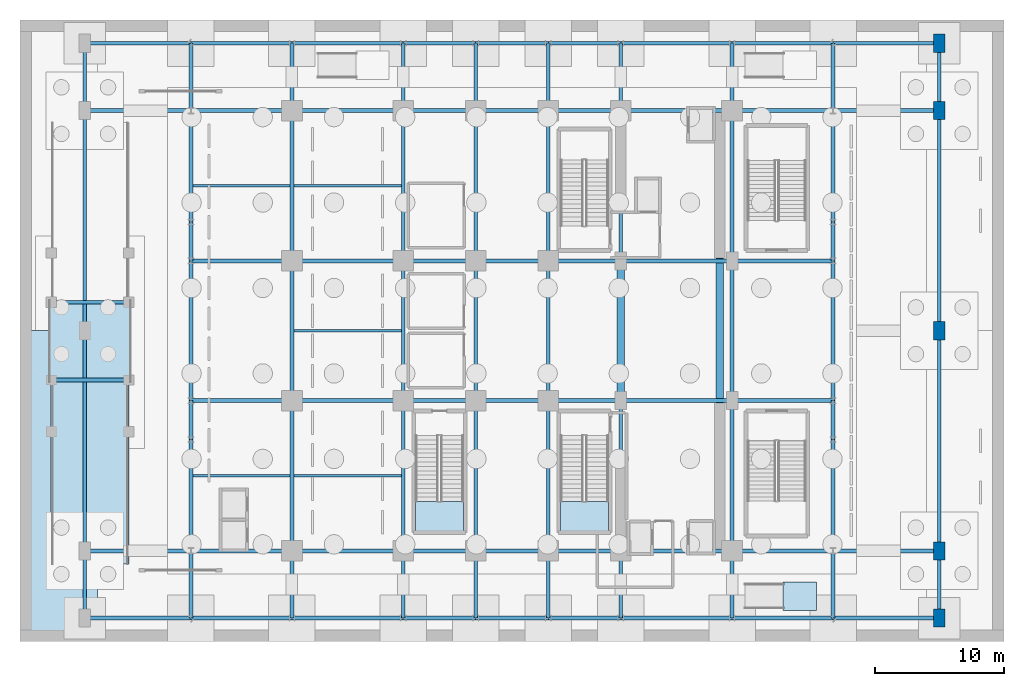
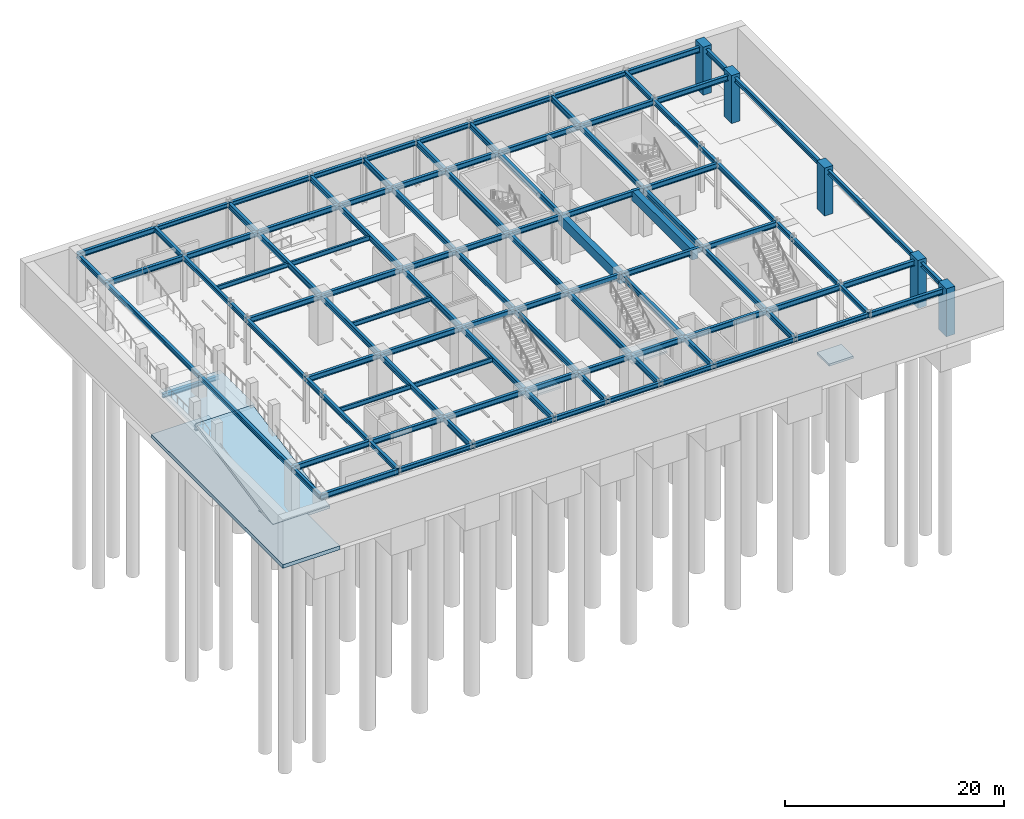
# One storey, part 4 of 14: 110 beams, 6 slabs, 5 columns, 2 elements without a shape of their own.
"""IFC4 building model written with IfcOpenShell, lengths in metres."""

from ifc_helpers import new_model, si_unit, direction, frame, origin, origin_2d, place, context, subcontext, project, spatial, polyline, rectangle, i_section, outline, extrude, source, transform, mapped, material, layer, layer_set, material_profile, profile_set, type_object, element, aggregate, save


model = new_model("IFC4")

# Units and contexts
model_context = context("Model", 3, precision=1e-05, world=origin(), true_north=direction((0.0, 1.0)))
body_context = subcontext(model_context, "Body", "Model", "MODEL_VIEW")
ifc_project = project(units=[si_unit("LENGTHUNIT", "METRE"), si_unit("AREAUNIT", "SQUARE_METRE"), si_unit("VOLUMEUNIT", "CUBIC_METRE"), si_unit("PLANEANGLEUNIT", "RADIAN"), si_unit("MASSUNIT", "GRAM", prefix="KILO")], contexts=[model_context])

# Site, building, storey
site_placement = place(None, origin())
site = spatial("IfcSite", under=ifc_project, at=site_placement, CompositionType="ELEMENT")
building_placement = place(site_placement, origin())
building = spatial("IfcBuilding", under=site, at=building_placement, Name="Nahalor Promenade Grand Hotel", CompositionType="ELEMENT")
storey_placement = place(building_placement, frame((0.0, 0.0, -10.800048828125)))
storey = spatial("IfcBuildingStorey", under=building, at=storey_placement, Name="B02", CompositionType="ELEMENT", Elevation=-10.800048828125)

# Columns
ifc_material_1 = material(Name="Concrete B-60 (C50/60)", Category="concrete")
ifc_material_profile_1 = material_profile(ifc_material_1, rectangle(XDim=0.9, YDim=1.4, at=origin_2d()), Name="RC 900x1400")
ifc_profile_set_1 = profile_set([ifc_material_profile_1], Name="Concrete B-60 (C50/60)")
column_type = type_object("IfcColumnType", Name="Col-Pilaster-1400", PredefinedType="PILASTER", material=ifc_profile_set_1)
shared_shape_1 = source(origin(), body_context, "Body", "SweptSolid", [
    extrude(rectangle(XDim=0.9, YDim=1.4, at=origin_2d()), origin(), (0.0, 0.0, 1.0), 5.35498046875),
])
for number, where, z_axis, x_axis, name in (
    (1, (33.0, -22.199951171875, 0.0), (0.0, 0.0, 1.0), (1.0, 0.0, 0.0), "COL-B02-PC-E0"),
    (2, (33.0, -17.0, 0.0), (0.0, 0.0, 1.0), (1.0, 0.0, 0.0), "COL-B02-PC-E1"),
    (3, (33.0, 0.0, 0.0), (0.0, 0.0, 1.0), (1.0, 0.0, 0.0), "COL-B02-PC-E2"),
    (4, (33.0, 17.0, 0.0), (0.0, 0.0, 1.0), (1.0, 0.0, 0.0), "COL-B02-PC-E3"),
    (5, (33.0, 22.199951171875, 0.0), (0.0, 0.0, 1.0), (1.0, 0.0, 0.0), "COL-B02-PC-E4"),
):
    element("IfcColumn", number, at=place(storey_placement, frame(where, z_axis=z_axis, x_axis=x_axis)), inside=storey, type_object=column_type, Name=name, PredefinedType="PILASTER", context=body_context, shape_type="MappedRepresentation", body=[
        mapped(shared_shape_1, transform((0.0, 0.0, 0.0), scale=1.0)),
    ])

# Beams
ifc_material_profile_2 = material_profile(ifc_material_1, rectangle(XDim=0.6, YDim=1.1, at=origin_2d()), Name="RC 600x1100")
ifc_profile_set_2 = profile_set([ifc_material_profile_2], Name="Concrete B-60 (C50/60)")
beam_type_1 = type_object("IfcBeamType", Name="Beam-Lintel-RC1100", PredefinedType="LINTEL", material=ifc_profile_set_2)
shared_shape_2 = source(origin(), body_context, "Body", "SweptSolid", [
    extrude(rectangle(XDim=0.6, YDim=1.1, at=origin_2d()), origin(), (0.0, 0.0, 1.0), 11.2001953125),
])
for number, where, z_axis, x_axis, name in (
    (6, (8.39990234375, -5.60009765625, 4.5), (0.0, 1.0, 0.0), (-1.0, 0.0, 0.0), "BM-B02-LINT-W"),
    (7, (16.050048828125, -5.60009765625, 4.5), (0.0, 1.0, 0.0), (-1.0, 0.0, 0.0), "BM-B02-LINT-E"),
):
    element("IfcBeam", number, at=place(storey_placement, frame(where, z_axis=z_axis, x_axis=x_axis)), inside=storey, type_object=beam_type_1, Name=name, PredefinedType="LINTEL", context=body_context, shape_type="MappedRepresentation", body=[
        mapped(shared_shape_2, transform((0.0, 0.0, 0.0), scale=1.0)),
    ])
ifc_material_2 = material(Name="Steel S355JR", Category="steel")
ifc_material_profile_3 = material_profile(ifc_material_2, i_section(OverallWidth=0.3, OverallDepth=0.6, WebThickness=0.0155, FlangeThickness=0.03, at=origin_2d()), Name="HEB 600")
ifc_profile_set_3 = profile_set([ifc_material_profile_3], Name="Steel S355JR")
beam_type_2 = type_object("IfcBeamType", Name="Beam-Girder-HEB600", PredefinedType="BEAM", material=ifc_profile_set_3)
shared_shape_3 = source(origin(), body_context, "Body", "SweptSolid", [
    extrude(i_section(OverallWidth=0.3, OverallDepth=0.6, WebThickness=0.0155, FlangeThickness=0.03, at=origin_2d()), origin(), (0.0, 0.0, 1.0), 8.199951171875),
])
for number, where, z_axis, x_axis, name in (
    (8, (-33.0, -17.0, 4.75), (1.0, 0.0, 0.0), (0.0, 1.0, 0.0), "BM-B02-GX-0-0"),
    (9, (24.800048828125, -17.0, 4.75), (1.0, 0.0, 0.0), (0.0, 1.0, 0.0), "BM-B02-GX-0-8"),
    (10, (-33.0, 17.0, 4.75), (1.0, 0.0, 0.0), (0.0, 1.0, 0.0), "BM-B02-GX-3-0"),
    (11, (24.800048828125, 17.0, 4.75), (1.0, 0.0, 0.0), (0.0, 1.0, 0.0), "BM-B02-GX-3-8"),
    (12, (-24.800048828125, -22.199951171875, 4.75), (-1.0, 0.0, 0.0), (0.0, -1.0, 0.0), "BM-B02-TIE-PW--22"),
    (13, (-24.800048828125, 22.199951171875, 4.75), (-1.0, 0.0, 0.0), (0.0, -1.0, 0.0), "BM-B02-TIE-PW-+22"),
    (14, (24.800048828125, -22.199951171875, 4.75), (1.0, 0.0, 0.0), (0.0, 1.0, 0.0), "BM-B02-TIE-PE--22"),
    (15, (24.800048828125, 22.199951171875, 4.75), (1.0, 0.0, 0.0), (0.0, 1.0, 0.0), "BM-B02-TIE-PE-+22"),
):
    element("IfcBeam", number, at=place(storey_placement, frame(where, z_axis=z_axis, x_axis=x_axis)), inside=storey, type_object=beam_type_2, Name=name, PredefinedType="BEAM", context=body_context, shape_type="MappedRepresentation", body=[
        mapped(shared_shape_3, transform((0.0, 0.0, 0.0), scale=1.0)),
    ])
shared_shape_4 = source(origin(), body_context, "Body", "SweptSolid", [
    extrude(i_section(OverallWidth=0.3, OverallDepth=0.6, WebThickness=0.0155, FlangeThickness=0.03, at=origin_2d()), origin(), (0.0, 0.0, 1.0), 7.800048828125),
])
for number, where, z_axis, x_axis, name in (
    (16, (-24.800048828125, -17.0, 4.75), (1.0, 0.0, 0.0), (0.0, 1.0, 0.0), "BM-B02-GX-0-1"),
    (17, (17.0, -17.0, 4.75), (1.0, 0.0, 0.0), (0.0, 1.0, 0.0), "BM-B02-GX-0-7"),
    (18, (-24.800048828125, -5.39990234375, 4.75), (1.0, 0.0, 0.0), (0.0, 1.0, 0.0), "BM-B02-GX-1-0"),
    (19, (17.0, -5.39990234375, 4.75), (1.0, 0.0, 0.0), (0.0, 1.0, 0.0), "BM-B02-GX-1-6"),
    (20, (-24.800048828125, 5.39990234375, 4.75), (1.0, 0.0, 0.0), (0.0, 1.0, 0.0), "BM-B02-GX-2-0"),
    (21, (17.0, 5.39990234375, 4.75), (1.0, 0.0, 0.0), (0.0, 1.0, 0.0), "BM-B02-GX-2-6"),
    (22, (-24.800048828125, 17.0, 4.75), (1.0, 0.0, 0.0), (0.0, 1.0, 0.0), "BM-B02-GX-3-1"),
    (23, (17.0, 17.0, 4.75), (1.0, 0.0, 0.0), (0.0, 1.0, 0.0), "BM-B02-GX-3-7"),
):
    element("IfcBeam", number, at=place(storey_placement, frame(where, z_axis=z_axis, x_axis=x_axis)), inside=storey, type_object=beam_type_2, Name=name, PredefinedType="BEAM", context=body_context, shape_type="MappedRepresentation", body=[
        mapped(shared_shape_4, transform((0.0, 0.0, 0.0), scale=1.0)),
    ])
shared_shape_5 = source(origin(), body_context, "Body", "SweptSolid", [
    extrude(i_section(OverallWidth=0.3, OverallDepth=0.6, WebThickness=0.0155, FlangeThickness=0.03, at=origin_2d()), origin(), (0.0, 0.0, 1.0), 8.60009765625),
])
for number, where, z_axis, x_axis, name in (
    (24, (-17.0, -17.0, 4.75), (1.0, 0.0, 0.0), (0.0, 1.0, 0.0), "BM-B02-GX-0-2"),
    (25, (8.39990234375, -17.0, 4.75), (1.0, 0.0, 0.0), (0.0, 1.0, 0.0), "BM-B02-GX-0-6"),
    (26, (-17.0, -5.39990234375, 4.75), (1.0, 0.0, 0.0), (0.0, 1.0, 0.0), "BM-B02-GX-1-1"),
    (27, (8.39990234375, -5.39990234375, 4.75), (1.0, 0.0, 0.0), (0.0, 1.0, 0.0), "BM-B02-GX-1-5"),
    (28, (-17.0, 5.39990234375, 4.75), (1.0, 0.0, 0.0), (0.0, 1.0, 0.0), "BM-B02-GX-2-1"),
    (29, (8.39990234375, 5.39990234375, 4.75), (1.0, 0.0, 0.0), (0.0, 1.0, 0.0), "BM-B02-GX-2-5"),
    (30, (-17.0, 17.0, 4.75), (1.0, 0.0, 0.0), (0.0, 1.0, 0.0), "BM-B02-GX-3-2"),
    (31, (8.39990234375, 17.0, 4.75), (1.0, 0.0, 0.0), (0.0, 1.0, 0.0), "BM-B02-GX-3-6"),
):
    element("IfcBeam", number, at=place(storey_placement, frame(where, z_axis=z_axis, x_axis=x_axis)), inside=storey, type_object=beam_type_2, Name=name, PredefinedType="BEAM", context=body_context, shape_type="MappedRepresentation", body=[
        mapped(shared_shape_5, transform((0.0, 0.0, 0.0), scale=1.0)),
    ])
shared_shape_6 = source(origin(), body_context, "Body", "SweptSolid", [
    extrude(i_section(OverallWidth=0.3, OverallDepth=0.6, WebThickness=0.0155, FlangeThickness=0.03, at=origin_2d()), origin(), (0.0, 0.0, 1.0), 5.599853515625),
])
for number, where, z_axis, x_axis, name in (
    (32, (-8.39990234375, -17.0, 4.75), (1.0, 0.0, 0.0), (0.0, 1.0, 0.0), "BM-B02-GX-0-3"),
    (33, (2.800048828125, -17.0, 4.75), (1.0, 0.0, 0.0), (0.0, 1.0, 0.0), "BM-B02-GX-0-5"),
    (34, (-8.39990234375, -5.39990234375, 4.75), (1.0, 0.0, 0.0), (0.0, 1.0, 0.0), "BM-B02-GX-1-2"),
    (35, (2.800048828125, -5.39990234375, 4.75), (1.0, 0.0, 0.0), (0.0, 1.0, 0.0), "BM-B02-GX-1-4"),
    (36, (-8.39990234375, 5.39990234375, 4.75), (1.0, 0.0, 0.0), (0.0, 1.0, 0.0), "BM-B02-GX-2-2"),
    (37, (2.800048828125, 5.39990234375, 4.75), (1.0, 0.0, 0.0), (0.0, 1.0, 0.0), "BM-B02-GX-2-4"),
    (38, (-8.39990234375, 17.0, 4.75), (1.0, 0.0, 0.0), (0.0, 1.0, 0.0), "BM-B02-GX-3-3"),
    (39, (2.800048828125, 17.0, 4.75), (1.0, 0.0, 0.0), (0.0, 1.0, 0.0), "BM-B02-GX-3-5"),
):
    element("IfcBeam", number, at=place(storey_placement, frame(where, z_axis=z_axis, x_axis=x_axis)), inside=storey, type_object=beam_type_2, Name=name, PredefinedType="BEAM", context=body_context, shape_type="MappedRepresentation", body=[
        mapped(shared_shape_6, transform((0.0, 0.0, 0.0), scale=1.0)),
    ])
shared_shape_7 = source(origin(), body_context, "Body", "SweptSolid", [
    extrude(i_section(OverallWidth=0.3, OverallDepth=0.6, WebThickness=0.0155, FlangeThickness=0.03, at=origin_2d()), origin(), (0.0, 0.0, 1.0), 5.60009765625),
])
for number, where, z_axis, x_axis, name in (
    (40, (-2.800048828125, -17.0, 4.75), (1.0, 0.0, 0.0), (0.0, 1.0, 0.0), "BM-B02-GX-0-4"),
    (41, (-2.800048828125, -5.39990234375, 4.75), (1.0, 0.0, 0.0), (0.0, 1.0, 0.0), "BM-B02-GX-1-3"),
    (42, (-2.800048828125, 5.39990234375, 4.75), (1.0, 0.0, 0.0), (0.0, 1.0, 0.0), "BM-B02-GX-2-3"),
    (43, (-2.800048828125, 17.0, 4.75), (1.0, 0.0, 0.0), (0.0, 1.0, 0.0), "BM-B02-GX-3-4"),
):
    element("IfcBeam", number, at=place(storey_placement, frame(where, z_axis=z_axis, x_axis=x_axis)), inside=storey, type_object=beam_type_2, Name=name, PredefinedType="BEAM", context=body_context, shape_type="MappedRepresentation", body=[
        mapped(shared_shape_7, transform((0.0, 0.0, 0.0), scale=1.0)),
    ])
shared_shape_8 = source(origin(), body_context, "Body", "SweptSolid", [
    extrude(i_section(OverallWidth=0.3, OverallDepth=0.6, WebThickness=0.0155, FlangeThickness=0.03, at=origin_2d()), origin(), (0.0, 0.0, 1.0), 5.199951171875),
])
for number, where, z_axis, x_axis, name in (
    (44, (-17.0, -22.199951171875, 4.75), (0.0, 1.0, 0.0), (-1.0, 0.0, 0.0), "BM-B02-GY-0-0"),
    (45, (-17.0, 17.0, 4.75), (0.0, 1.0, 0.0), (-1.0, 0.0, 0.0), "BM-B02-GY-0-4"),
    (46, (-8.39990234375, -22.199951171875, 4.75), (0.0, 1.0, 0.0), (-1.0, 0.0, 0.0), "BM-B02-GY-1-0"),
    (47, (-8.39990234375, 17.0, 4.75), (0.0, 1.0, 0.0), (-1.0, 0.0, 0.0), "BM-B02-GY-1-4"),
    (48, (-2.800048828125, -22.199951171875, 4.75), (0.0, 1.0, 0.0), (-1.0, 0.0, 0.0), "BM-B02-GY-2-0"),
    (49, (-2.800048828125, 17.0, 4.75), (0.0, 1.0, 0.0), (-1.0, 0.0, 0.0), "BM-B02-GY-2-4"),
    (50, (2.800048828125, -22.199951171875, 4.75), (0.0, 1.0, 0.0), (-1.0, 0.0, 0.0), "BM-B02-GY-3-0"),
    (51, (2.800048828125, 17.0, 4.75), (0.0, 1.0, 0.0), (-1.0, 0.0, 0.0), "BM-B02-GY-3-4"),
    (52, (8.39990234375, -22.199951171875, 4.75), (0.0, 1.0, 0.0), (-1.0, 0.0, 0.0), "BM-B02-GY-4-0"),
    (53, (8.39990234375, 17.0, 4.75), (0.0, 1.0, 0.0), (-1.0, 0.0, 0.0), "BM-B02-GY-4-4"),
    (54, (17.0, -22.199951171875, 4.75), (0.0, 1.0, 0.0), (-1.0, 0.0, 0.0), "BM-B02-GY-5-0"),
    (55, (17.0, 17.0, 4.75), (0.0, 1.0, 0.0), (-1.0, 0.0, 0.0), "BM-B02-GY-5-4"),
):
    element("IfcBeam", number, at=place(storey_placement, frame(where, z_axis=z_axis, x_axis=x_axis)), inside=storey, type_object=beam_type_2, Name=name, PredefinedType="BEAM", context=body_context, shape_type="MappedRepresentation", body=[
        mapped(shared_shape_8, transform((0.0, 0.0, 0.0), scale=1.0)),
    ])
shared_shape_9 = source(origin(), body_context, "Body", "SweptSolid", [
    extrude(i_section(OverallWidth=0.3, OverallDepth=0.6, WebThickness=0.0155, FlangeThickness=0.03, at=origin_2d()), origin(), (0.0, 0.0, 1.0), 11.60009765625),
])
for number, where, z_axis, x_axis, name in (
    (56, (-17.0, -17.0, 4.75), (0.0, 1.0, 0.0), (-1.0, 0.0, 0.0), "BM-B02-GY-0-1"),
    (57, (-17.0, 5.39990234375, 4.75), (0.0, 1.0, 0.0), (-1.0, 0.0, 0.0), "BM-B02-GY-0-3"),
    (58, (-8.39990234375, -17.0, 4.75), (0.0, 1.0, 0.0), (-1.0, 0.0, 0.0), "BM-B02-GY-1-1"),
    (59, (-8.39990234375, 5.39990234375, 4.75), (0.0, 1.0, 0.0), (-1.0, 0.0, 0.0), "BM-B02-GY-1-3"),
    (60, (-2.800048828125, -17.0, 4.75), (0.0, 1.0, 0.0), (-1.0, 0.0, 0.0), "BM-B02-GY-2-1"),
    (61, (-2.800048828125, 5.39990234375, 4.75), (0.0, 1.0, 0.0), (-1.0, 0.0, 0.0), "BM-B02-GY-2-3"),
    (62, (2.800048828125, -17.0, 4.75), (0.0, 1.0, 0.0), (-1.0, 0.0, 0.0), "BM-B02-GY-3-1"),
    (63, (2.800048828125, 5.39990234375, 4.75), (0.0, 1.0, 0.0), (-1.0, 0.0, 0.0), "BM-B02-GY-3-3"),
    (64, (8.39990234375, -17.0, 4.75), (0.0, 1.0, 0.0), (-1.0, 0.0, 0.0), "BM-B02-GY-4-1"),
    (65, (8.39990234375, 5.39990234375, 4.75), (0.0, 1.0, 0.0), (-1.0, 0.0, 0.0), "BM-B02-GY-4-3"),
    (66, (17.0, -17.0, 4.75), (0.0, 1.0, 0.0), (-1.0, 0.0, 0.0), "BM-B02-GY-5-1"),
    (67, (17.0, 5.39990234375, 4.75), (0.0, 1.0, 0.0), (-1.0, 0.0, 0.0), "BM-B02-GY-5-3"),
):
    element("IfcBeam", number, at=place(storey_placement, frame(where, z_axis=z_axis, x_axis=x_axis)), inside=storey, type_object=beam_type_2, Name=name, PredefinedType="BEAM", context=body_context, shape_type="MappedRepresentation", body=[
        mapped(shared_shape_9, transform((0.0, 0.0, 0.0), scale=1.0)),
    ])
shared_shape_10 = source(origin(), body_context, "Body", "SweptSolid", [
    extrude(i_section(OverallWidth=0.3, OverallDepth=0.6, WebThickness=0.0155, FlangeThickness=0.03, at=origin_2d()), origin(), (0.0, 0.0, 1.0), 10.7998046875),
])
for number, where, z_axis, x_axis, name in (
    (68, (-17.0, -5.39990234375, 4.75), (0.0, 1.0, 0.0), (-1.0, 0.0, 0.0), "BM-B02-GY-0-2"),
    (69, (-8.39990234375, -5.39990234375, 4.75), (0.0, 1.0, 0.0), (-1.0, 0.0, 0.0), "BM-B02-GY-1-2"),
    (70, (-2.800048828125, -5.39990234375, 4.75), (0.0, 1.0, 0.0), (-1.0, 0.0, 0.0), "BM-B02-GY-2-2"),
    (71, (2.800048828125, -5.39990234375, 4.75), (0.0, 1.0, 0.0), (-1.0, 0.0, 0.0), "BM-B02-GY-3-2"),
    (72, (17.0, -5.39990234375, 4.75), (0.0, 1.0, 0.0), (-1.0, 0.0, 0.0), "BM-B02-GY-5-2"),
):
    element("IfcBeam", number, at=place(storey_placement, frame(where, z_axis=z_axis, x_axis=x_axis)), inside=storey, type_object=beam_type_2, Name=name, PredefinedType="BEAM", context=body_context, shape_type="MappedRepresentation", body=[
        mapped(shared_shape_10, transform((0.0, 0.0, 0.0), scale=1.0)),
    ])
ifc_material_profile_4 = material_profile(ifc_material_2, i_section(OverallWidth=0.3, OverallDepth=0.5, WebThickness=0.0145, FlangeThickness=0.028, at=origin_2d()), Name="HEB 500")
ifc_profile_set_4 = profile_set([ifc_material_profile_4], Name="Steel S355JR")
beam_type_3 = type_object("IfcBeamType", Name="Beam-Spandrel-HEB500", PredefinedType="SPANDREL", material=ifc_profile_set_4)
shared_shape_11 = source(origin(), body_context, "Body", "SweptSolid", [
    extrude(i_section(OverallWidth=0.3, OverallDepth=0.5, WebThickness=0.0145, FlangeThickness=0.028, at=origin_2d()), origin(), (0.0, 0.0, 1.0), 8.60009765625),
])
for number, where, z_axis, x_axis, name in (
    (73, (-17.0, -22.199951171875, 4.800048828125), (1.0, 0.0, 0.0), (0.0, 1.0, 0.0), "BM-B02-SP-S-0"),
    (74, (8.39990234375, -22.199951171875, 4.800048828125), (1.0, 0.0, 0.0), (0.0, 1.0, 0.0), "BM-B02-SP-S-4"),
    (75, (-17.0, 22.199951171875, 4.800048828125), (1.0, 0.0, 0.0), (0.0, 1.0, 0.0), "BM-B02-SP-N-0"),
    (76, (8.39990234375, 22.199951171875, 4.800048828125), (1.0, 0.0, 0.0), (0.0, 1.0, 0.0), "BM-B02-SP-N-4"),
    (77, (-24.800048828125, -17.0, 4.800048828125), (0.0, 1.0, 0.0), (-1.0, 0.0, 0.0), "BM-B02-SP-W-0"),
    (78, (-24.800048828125, 8.39990234375, 4.800048828125), (0.0, 1.0, 0.0), (-1.0, 0.0, 0.0), "BM-B02-SP-W-4"),
    (79, (24.800048828125, -17.0, 4.800048828125), (0.0, 1.0, 0.0), (-1.0, 0.0, 0.0), "BM-B02-SP-E-0"),
    (80, (24.800048828125, 8.39990234375, 4.800048828125), (0.0, 1.0, 0.0), (-1.0, 0.0, 0.0), "BM-B02-SP-E-4"),
):
    element("IfcBeam", number, at=place(storey_placement, frame(where, z_axis=z_axis, x_axis=x_axis)), inside=storey, type_object=beam_type_3, Name=name, PredefinedType="SPANDREL", context=body_context, shape_type="MappedRepresentation", body=[
        mapped(shared_shape_11, transform((0.0, 0.0, 0.0), scale=1.0)),
    ])
shared_shape_12 = source(origin(), body_context, "Body", "SweptSolid", [
    extrude(i_section(OverallWidth=0.3, OverallDepth=0.5, WebThickness=0.0145, FlangeThickness=0.028, at=origin_2d()), origin(), (0.0, 0.0, 1.0), 5.599853515625),
])
for number, where, z_axis, x_axis, name in (
    (81, (-8.39990234375, -22.199951171875, 4.800048828125), (1.0, 0.0, 0.0), (0.0, 1.0, 0.0), "BM-B02-SP-S-1"),
    (82, (2.800048828125, -22.199951171875, 4.800048828125), (1.0, 0.0, 0.0), (0.0, 1.0, 0.0), "BM-B02-SP-S-3"),
    (83, (-8.39990234375, 22.199951171875, 4.800048828125), (1.0, 0.0, 0.0), (0.0, 1.0, 0.0), "BM-B02-SP-N-1"),
    (84, (2.800048828125, 22.199951171875, 4.800048828125), (1.0, 0.0, 0.0), (0.0, 1.0, 0.0), "BM-B02-SP-N-3"),
):
    element("IfcBeam", number, at=place(storey_placement, frame(where, z_axis=z_axis, x_axis=x_axis)), inside=storey, type_object=beam_type_3, Name=name, PredefinedType="SPANDREL", context=body_context, shape_type="MappedRepresentation", body=[
        mapped(shared_shape_12, transform((0.0, 0.0, 0.0), scale=1.0)),
    ])
shared_shape_13 = source(origin(), body_context, "Body", "SweptSolid", [
    extrude(i_section(OverallWidth=0.3, OverallDepth=0.5, WebThickness=0.0145, FlangeThickness=0.028, at=origin_2d()), origin(), (0.0, 0.0, 1.0), 5.60009765625),
])
for number, where, z_axis, x_axis, name in (
    (85, (-2.800048828125, -22.199951171875, 4.800048828125), (1.0, 0.0, 0.0), (0.0, 1.0, 0.0), "BM-B02-SP-S-2"),
    (86, (-2.800048828125, 22.199951171875, 4.800048828125), (1.0, 0.0, 0.0), (0.0, 1.0, 0.0), "BM-B02-SP-N-2"),
):
    element("IfcBeam", number, at=place(storey_placement, frame(where, z_axis=z_axis, x_axis=x_axis)), inside=storey, type_object=beam_type_3, Name=name, PredefinedType="SPANDREL", context=body_context, shape_type="MappedRepresentation", body=[
        mapped(shared_shape_13, transform((0.0, 0.0, 0.0), scale=1.0)),
    ])
shared_shape_14 = source(origin(), body_context, "Body", "SweptSolid", [
    extrude(i_section(OverallWidth=0.3, OverallDepth=0.5, WebThickness=0.0145, FlangeThickness=0.028, at=origin_2d()), origin(), (0.0, 0.0, 1.0), 3.0),
])
for number, where, z_axis, x_axis, name in (
    (87, (-24.800048828125, -8.39990234375, 4.800048828125), (0.0, 1.0, 0.0), (-1.0, 0.0, 0.0), "BM-B02-SP-W-1"),
    (88, (-24.800048828125, 5.39990234375, 4.800048828125), (0.0, 1.0, 0.0), (-1.0, 0.0, 0.0), "BM-B02-SP-W-3"),
    (89, (24.800048828125, -8.39990234375, 4.800048828125), (0.0, 1.0, 0.0), (-1.0, 0.0, 0.0), "BM-B02-SP-E-1"),
    (90, (24.800048828125, 5.39990234375, 4.800048828125), (0.0, 1.0, 0.0), (-1.0, 0.0, 0.0), "BM-B02-SP-E-3"),
):
    element("IfcBeam", number, at=place(storey_placement, frame(where, z_axis=z_axis, x_axis=x_axis)), inside=storey, type_object=beam_type_3, Name=name, PredefinedType="SPANDREL", context=body_context, shape_type="MappedRepresentation", body=[
        mapped(shared_shape_14, transform((0.0, 0.0, 0.0), scale=1.0)),
    ])
shared_shape_15 = source(origin(), body_context, "Body", "SweptSolid", [
    extrude(i_section(OverallWidth=0.3, OverallDepth=0.5, WebThickness=0.0145, FlangeThickness=0.028, at=origin_2d()), origin(), (0.0, 0.0, 1.0), 10.7998046875),
])
for number, where, z_axis, x_axis, name in (
    (91, (-24.800048828125, -5.39990234375, 4.800048828125), (0.0, 1.0, 0.0), (-1.0, 0.0, 0.0), "BM-B02-SP-W-2"),
    (92, (24.800048828125, -5.39990234375, 4.800048828125), (0.0, 1.0, 0.0), (-1.0, 0.0, 0.0), "BM-B02-SP-E-2"),
):
    element("IfcBeam", number, at=place(storey_placement, frame(where, z_axis=z_axis, x_axis=x_axis)), inside=storey, type_object=beam_type_3, Name=name, PredefinedType="SPANDREL", context=body_context, shape_type="MappedRepresentation", body=[
        mapped(shared_shape_15, transform((0.0, 0.0, 0.0), scale=1.0)),
    ])
shared_shape_16 = source(origin(), body_context, "Body", "SweptSolid", [
    extrude(i_section(OverallWidth=0.3, OverallDepth=0.5, WebThickness=0.0145, FlangeThickness=0.028, at=origin_2d()), origin(), (0.0, 0.0, 1.0), 7.800048828125),
])
for number, where, z_axis, x_axis, name in (
    (93, (-17.0, -22.199951171875, 4.800048828125), (-1.0, 0.0, 0.0), (0.0, -1.0, 0.0), "BM-B02-SPC-SW-1"),
    (94, (-17.0, 22.199951171875, 4.800048828125), (-1.0, 0.0, 0.0), (0.0, -1.0, 0.0), "BM-B02-SPC-NW-1"),
    (95, (17.0, -22.199951171875, 4.800048828125), (1.0, 0.0, 0.0), (0.0, 1.0, 0.0), "BM-B02-SPC-SE-1"),
    (96, (17.0, 22.199951171875, 4.800048828125), (1.0, 0.0, 0.0), (0.0, 1.0, 0.0), "BM-B02-SPC-NE-1"),
):
    element("IfcBeam", number, at=place(storey_placement, frame(where, z_axis=z_axis, x_axis=x_axis)), inside=storey, type_object=beam_type_3, Name=name, PredefinedType="SPANDREL", context=body_context, shape_type="MappedRepresentation", body=[
        mapped(shared_shape_16, transform((0.0, 0.0, 0.0), scale=1.0)),
    ])
shared_shape_17 = source(origin(), body_context, "Body", "SweptSolid", [
    extrude(i_section(OverallWidth=0.3, OverallDepth=0.5, WebThickness=0.0145, FlangeThickness=0.028, at=origin_2d()), origin(), (0.0, 0.0, 1.0), 5.199951171875),
])
for number, where, z_axis, x_axis, name in (
    (97, (-24.800048828125, -22.199951171875, 4.800048828125), (0.0, 1.0, 0.0), (-1.0, 0.0, 0.0), "BM-B02-SPC-SW-2"),
    (98, (-24.800048828125, 22.199951171875, 4.800048828125), (0.0, -1.0, 0.0), (1.0, 0.0, 0.0), "BM-B02-SPC-NW-2"),
    (99, (24.800048828125, -22.199951171875, 4.800048828125), (0.0, 1.0, 0.0), (-1.0, 0.0, 0.0), "BM-B02-SPC-SE-2"),
    (100, (24.800048828125, 22.199951171875, 4.800048828125), (0.0, -1.0, 0.0), (1.0, 0.0, 0.0), "BM-B02-SPC-NE-2"),
    (101, (-33.0, -22.199951171875, 4.800048828125), (0.0, 1.0, 0.0), (-1.0, 0.0, 0.0), "BM-B02-PW-0"),
    (102, (-33.0, 17.0, 4.800048828125), (0.0, 1.0, 0.0), (-1.0, 0.0, 0.0), "BM-B02-PW-3"),
    (103, (33.0, -22.199951171875, 4.800048828125), (0.0, 1.0, 0.0), (-1.0, 0.0, 0.0), "BM-B02-PE-0"),
    (104, (33.0, 17.0, 4.800048828125), (0.0, 1.0, 0.0), (-1.0, 0.0, 0.0), "BM-B02-PE-3"),
):
    element("IfcBeam", number, at=place(storey_placement, frame(where, z_axis=z_axis, x_axis=x_axis)), inside=storey, type_object=beam_type_3, Name=name, PredefinedType="SPANDREL", context=body_context, shape_type="MappedRepresentation", body=[
        mapped(shared_shape_17, transform((0.0, 0.0, 0.0), scale=1.0)),
    ])
shared_shape_18 = source(origin(), body_context, "Body", "SweptSolid", [
    extrude(i_section(OverallWidth=0.3, OverallDepth=0.5, WebThickness=0.0145, FlangeThickness=0.028, at=origin_2d()), origin(), (0.0, 0.0, 1.0), 17.0),
])
for number, where, z_axis, x_axis, name in (
    (105, (-33.0, -17.0, 4.800048828125), (0.0, 1.0, 0.0), (-1.0, 0.0, 0.0), "BM-B02-PW-1"),
    (106, (-33.0, 0.0, 4.800048828125), (0.0, 1.0, 0.0), (-1.0, 0.0, 0.0), "BM-B02-PW-2"),
    (107, (33.0, -17.0, 4.800048828125), (0.0, 1.0, 0.0), (-1.0, 0.0, 0.0), "BM-B02-PE-1"),
    (108, (33.0, 0.0, 4.800048828125), (0.0, 1.0, 0.0), (-1.0, 0.0, 0.0), "BM-B02-PE-2"),
):
    element("IfcBeam", number, at=place(storey_placement, frame(where, z_axis=z_axis, x_axis=x_axis)), inside=storey, type_object=beam_type_3, Name=name, PredefinedType="SPANDREL", context=body_context, shape_type="MappedRepresentation", body=[
        mapped(shared_shape_18, transform((0.0, 0.0, 0.0), scale=1.0)),
    ])
ifc_material_profile_5 = material_profile(ifc_material_2, i_section(OverallWidth=0.2, OverallDepth=0.5, WebThickness=0.0102, FlangeThickness=0.016, at=origin_2d()), Name="IPE 500")
ifc_profile_set_5 = profile_set([ifc_material_profile_5], Name="Steel S355JR")
beam_type_4 = type_object("IfcBeamType", Name="Beam-Joist-IPE500", PredefinedType="JOIST", material=ifc_profile_set_5)
shared_shape_19 = source(origin(), body_context, "Body", "SweptSolid", [
    extrude(i_section(OverallWidth=0.2, OverallDepth=0.5, WebThickness=0.0102, FlangeThickness=0.016, at=origin_2d()), origin(), (0.0, 0.0, 1.0), 7.5),
])
for number, where, z_axis, x_axis, name in (
    (109, (-24.64990234375, -11.199951171875, 4.800048828125), (1.0, 0.0, 0.0), (0.0, 1.0, 0.0), "BM-B02-JSW-0-0"),
    (110, (-24.64990234375, 11.199951171875, 4.800048828125), (1.0, 0.0, 0.0), (0.0, 1.0, 0.0), "BM-B02-JSW-1-0"),
):
    element("IfcBeam", number, at=place(storey_placement, frame(where, z_axis=z_axis, x_axis=x_axis)), inside=storey, type_object=beam_type_4, Name=name, PredefinedType="JOIST", context=body_context, shape_type="MappedRepresentation", body=[
        mapped(shared_shape_19, transform((0.0, 0.0, 0.0), scale=1.0)),
    ])
shared_shape_20 = source(origin(), body_context, "Body", "SweptSolid", [
    extrude(i_section(OverallWidth=0.2, OverallDepth=0.5, WebThickness=0.0102, FlangeThickness=0.016, at=origin_2d()), origin(), (0.0, 0.0, 1.0), 8.300048828125),
])
for number, where, z_axis, x_axis, name in (
    (111, (-16.85009765625, -11.199951171875, 4.800048828125), (1.0, 0.0, 0.0), (0.0, 1.0, 0.0), "BM-B02-JSW-0-1"),
    (112, (-16.85009765625, 11.199951171875, 4.800048828125), (1.0, 0.0, 0.0), (0.0, 1.0, 0.0), "BM-B02-JSW-1-1"),
    (113, (-16.85009765625, 0.0, 4.800048828125), (1.0, 0.0, 0.0), (0.0, 1.0, 0.0), "BM-B02-JSC-0"),
):
    element("IfcBeam", number, at=place(storey_placement, frame(where, z_axis=z_axis, x_axis=x_axis)), inside=storey, type_object=beam_type_4, Name=name, PredefinedType="JOIST", context=body_context, shape_type="MappedRepresentation", body=[
        mapped(shared_shape_20, transform((0.0, 0.0, 0.0), scale=1.0)),
    ])
ifc_material_profile_6 = material_profile(ifc_material_2, i_section(OverallWidth=0.3, OverallDepth=0.45, WebThickness=0.014, FlangeThickness=0.026, at=origin_2d()), Name="HEB 450")
ifc_profile_set_6 = profile_set([ifc_material_profile_6], Name="Steel S355JR")
beam_type_5 = type_object("IfcBeamType", Name="Beam-Girder-HEB450", PredefinedType="BEAM", material=ifc_profile_set_6)
shared_shape_21 = source(origin(), body_context, "Body", "SweptSolid", [
    extrude(i_section(OverallWidth=0.3, OverallDepth=0.45, WebThickness=0.014, FlangeThickness=0.026, at=origin_2d()), origin(), (0.0, 0.0, 1.0), 6.0),
])
for number, where, z_axis, x_axis, name in (
    (114, (-35.60009765625, -3.800048828125, 2.125), (1.0, 0.0, 0.0), (0.0, 1.0, 0.0), "BM-RLD-B02-S"),
    (115, (-35.60009765625, 2.199951171875, 2.125), (1.0, 0.0, 0.0), (0.0, 1.0, 0.0), "BM-RLD-B02-N"),
):
    element("IfcBeam", number, at=place(storey_placement, frame(where, z_axis=z_axis, x_axis=x_axis)), inside=storey, type_object=beam_type_5, Name=name, PredefinedType="BEAM", context=body_context, shape_type="MappedRepresentation", body=[
        mapped(shared_shape_21, transform((0.0, 0.0, 0.0), scale=1.0)),
    ])

# Stair, slab
ifc_material_3 = material(Name="Concrete B-50 (C40/50)", Category="concrete")
stair_type_1 = type_object("IfcStairType", Name="Stair-ST2", PredefinedType="HALF_TURN_STAIR", material=ifc_material_3)
stair_1_placement = place(storey_placement, origin())
stair_1 = element("IfcStair", 116, at=stair_1_placement, inside=storey, type_object=stair_type_1, Name="B02 ST2", PredefinedType="HALF_TURN_STAIR")
ifc_layer_1 = layer(ifc_material_3, 0.2099609375)
ifc_layer_set_1 = layer_set([ifc_layer_1], Name="Concrete B-50 (C40/50)")
slab_type_1 = type_object("IfcSlabType", Name="Landing-ST2", PredefinedType="LANDING", material=ifc_layer_set_1)
slab_1_placement = place(storey_placement, frame((0.0, 0.0, 2.489990234375)))
slab_1 = element("IfcSlab", 117, at=slab_1_placement, type_object=slab_type_1, Name="ST2 landing 1", PredefinedType="LANDING", context=body_context, shape_type="SweptSolid", body=[
    extrude(outline(polyline([(3.75, -13.199951171875), (3.75, -15.449951171875), (7.449951171875, -15.449951171875), (7.449951171875, -13.199951171875), (3.75, -13.199951171875)])), origin(), (0.0, 0.0, 1.0), 0.2099609375),
])
aggregate(stair_1, [slab_1])

stair_type_2 = type_object("IfcStairType", Name="Stair-ST3", PredefinedType="HALF_TURN_STAIR", material=ifc_material_3)
stair_2_placement = place(storey_placement, origin())
stair_2 = element("IfcStair", 118, at=stair_2_placement, inside=storey, type_object=stair_type_2, Name="B02 ST3", PredefinedType="HALF_TURN_STAIR")
ifc_layer_2 = layer(ifc_material_3, 0.219970703125)
ifc_layer_set_2 = layer_set([ifc_layer_2], Name="Concrete B-50 (C40/50)")
slab_type_2 = type_object("IfcSlabType", Name="Landing-ST3", PredefinedType="LANDING", material=ifc_layer_set_2)
slab_2_placement = place(storey_placement, frame((0.0, 0.0, 2.47998046875)))
slab_2 = element("IfcSlab", 119, at=slab_2_placement, type_object=slab_type_2, Name="ST3 landing 1", PredefinedType="LANDING", context=body_context, shape_type="SweptSolid", body=[
    extrude(outline(polyline([(-7.449951171875, -13.199951171875), (-7.449951171875, -15.449951171875), (-3.75, -15.449951171875), (-3.75, -13.199951171875), (-7.449951171875, -13.199951171875)])), origin(), (0.0, 0.0, 1.0), 0.219970703125),
])
aggregate(stair_2, [slab_2])

# Slabs
ifc_layer_3 = layer(ifc_material_3, 0.419921875)
ifc_layer_set_3 = layer_set([ifc_layer_3], Name="Concrete B-50 (C40/50)")
slab_type_3 = type_object("IfcSlabType", Name="Slab-BaseTopping-420", PredefinedType="BASESLAB", material=ifc_layer_set_3)
slab_3_placement = place(storey_placement, frame((0.0, 0.0, -0.419921875)))
element("IfcSlab", 120, at=slab_3_placement, inside=storey, type_object=slab_type_3, Name="B02 Structural Base Slab SL-B02-SW", PredefinedType="BASESLAB", context=body_context, shape_type="SweptSolid", body=[
    extrude(outline(polyline([(-38.0, -24.0), (-32.0, -24.0), (-32.0, -18.02001953125), (-35.6201171875, -18.02001953125), (-35.6201171875, -15.39990234375), (-32.0, -15.39990234375), (-32.0, 0.0), (-38.0, 0.0), (-38.0, -24.0)])), origin(), (0.0, 0.0, 1.0), 0.419921875),
])
slab_4_placement = place(storey_placement, origin())
element("IfcSlab", 121, at=slab_4_placement, inside=storey, type_object=slab_type_3, Name="B02 Equipment Plinth Landing 1", PredefinedType="BASESLAB", context=body_context, shape_type="SweptSolid", body=[
    extrude(outline(polyline([(20.93994140625, -21.60009765625), (23.5, -21.60009765625), (23.5, -19.39990234375), (20.93994140625, -19.39990234375), (20.93994140625, -21.60009765625)])), origin(), (0.0, 0.0, 1.0), 0.25),
])
ifc_layer_4 = layer(ifc_material_3, 0.35009765625)
ifc_layer_set_4 = layer_set([ifc_layer_4], Name="Concrete B-50 (C40/50)")
slab_type_4 = type_object("IfcSlabType", Name="Slab-Basement-350", PredefinedType="FLOOR", material=ifc_layer_set_4)
slab_5_placement = place(storey_placement, frame((0.0, 0.0, 2.35009765625)))
element("IfcSlab", 122, at=slab_5_placement, inside=storey, type_object=slab_type_4, Name="Vehicle Ramp B02 Half-Landing", PredefinedType="FLOOR", context=body_context, shape_type="SweptSolid", body=[
    extrude(outline(polyline([(-35.800048828125, -3.949951171875), (-29.39990234375, -3.949951171875), (-29.39990234375, 2.35009765625), (-35.800048828125, 2.35009765625), (-35.800048828125, -3.949951171875)])), origin(), (0.0, 0.0, 1.0), 0.349853515625),
])
ifc_layer_5 = layer(ifc_material_3, 0.300048828125)
ifc_layer_set_5 = layer_set([ifc_layer_5], Name="Concrete B-50 (C40/50)")
slab_type_5 = type_object("IfcSlabType", Name="Slab-VehRamp-300", PredefinedType="FLOOR", material=ifc_layer_set_5)
slab_6_placement = place(storey_placement, frame((-35.60009765625, -18.0, 0.0), z_axis=(0.0, -0.188067733416, 0.98215606074), x_axis=(1.0, 0.0, 0.0)))
element("IfcSlab", 123, at=slab_6_placement, inside=storey, type_object=slab_type_5, Name="Basement Car Park Vehicle Ramp B02 Lower Slab", PredefinedType="FLOOR", context=body_context, shape_type="SweptSolid", body=[
    extrude(outline(polyline([(0.0, 0.0), (6.0, 0.0), (6.0, 14.356270067336292), (0.0, 14.356270067336292), (0.0, 0.0)])), origin(), (0.0, -0.188067733416, -0.98215606074), 0.305419921875),
])

save(model, "model.ifc")
